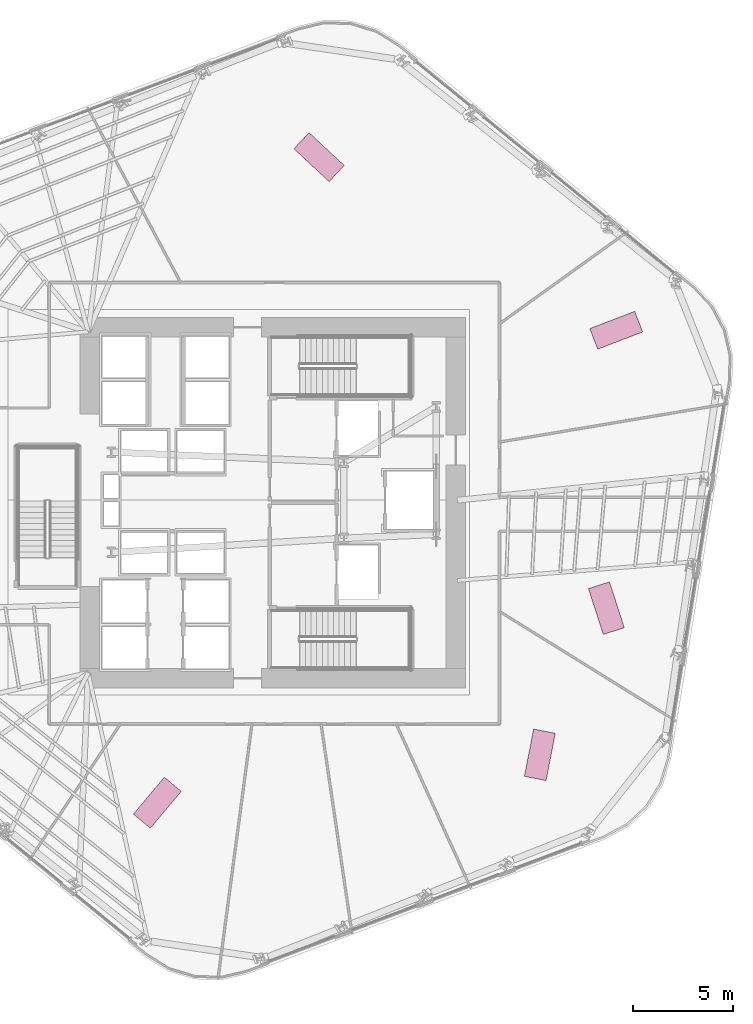
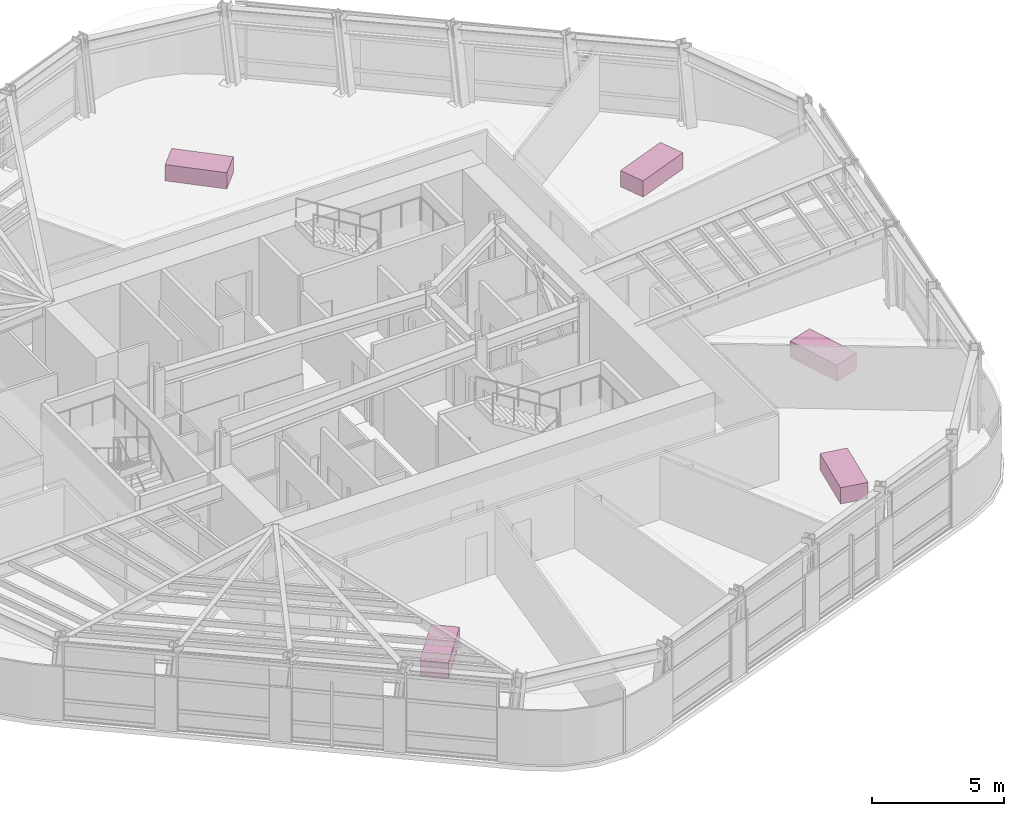
# One storey, part 18 of 18: 5 furniture elements.
"""IFC4 building model written with IfcOpenShell, lengths in metres."""

from ifc_helpers import new_model, si_unit, direction, frame, origin, origin_2d, place, context, subcontext, project, spatial, rectangle, extrude, material, type_object, element, save


model = new_model("IFC4")

# Units and contexts
model_context = context("Model", 3, precision=1e-05, world=origin(), true_north=direction((0.0, 1.0)))
body_context = subcontext(model_context, "Body", "Model", "MODEL_VIEW")
ifc_project = project(units=[si_unit("LENGTHUNIT", "METRE"), si_unit("AREAUNIT", "SQUARE_METRE"), si_unit("VOLUMEUNIT", "CUBIC_METRE"), si_unit("PLANEANGLEUNIT", "RADIAN"), si_unit("MASSUNIT", "GRAM", prefix="KILO")], contexts=[model_context])

# Site, building, storey
site_placement = place(None, origin())
site = spatial("IfcSite", under=ifc_project, at=site_placement, CompositionType="ELEMENT")
building_placement = place(site_placement, origin())
building = spatial("IfcBuilding", under=site, at=building_placement, Name="Valkerne Bourse Tower", CompositionType="ELEMENT")
storey_placement = place(building_placement, frame((0.0, 0.0, 112.39990234375)))
storey = spatial("IfcBuildingStorey", under=building, at=storey_placement, Name="L28", CompositionType="ELEMENT", Elevation=112.39990234375)

# Furniture
ifc_material = material(Name="Architectural White Oak Timber", Category="wood")
furniture_type = type_object("IfcFurnitureType", Name="FURN-DESK-2400", AssemblyPlace="NOTDEFINED", PredefinedType="DESK", material=ifc_material)
for number, where, z_axis, x_axis, name in (
    (1, (63.925048828125, 35.472900390625, 0.045166015625), (0.0, 0.0, 1.0), (0.933580426497, 0.358367949545, 0.0), "L28 Suite Worktable 05"),
    (2, (41.0458984375, 11.91796875, 0.045166015625), (0.0, 0.0, 1.0), (0.642787609687, 0.766044443119, 0.0), "L28 Suite Worktable 06"),
    (3, (60.116943359375, 14.306884765625, 0.045166015625), (0.0, 0.0, 1.0), (0.190808995377, 0.981627183448, 0.0), "L28 Suite Worktable 07"),
    (4, (63.43505859375, 21.617919921875, 0.045166015625), (0.0, 0.0, 1.0), (-0.309016994375, 0.951056516295, 0.0), "L28 Suite Worktable 08"),
    (5, (49.110107421875, 44.10595703125, 0.045166015625), (0.0, 0.0, 1.0), (-0.731353701619, 0.681998360062, 0.0), "L28 Suite Worktable 09"),
):
    element("IfcFurniture", number, at=place(storey_placement, frame(where, z_axis=z_axis, x_axis=x_axis)), inside=storey, type_object=furniture_type, Name=name, PredefinedType="DESK", context=body_context, shape_type="SweptSolid", body=[
        extrude(rectangle(XDim=2.39990234375, YDim=1.10009765625, at=origin_2d()), origin(), (0.0, 0.0, 1.0), 0.75),
    ])

save(model, "model.ifc")
